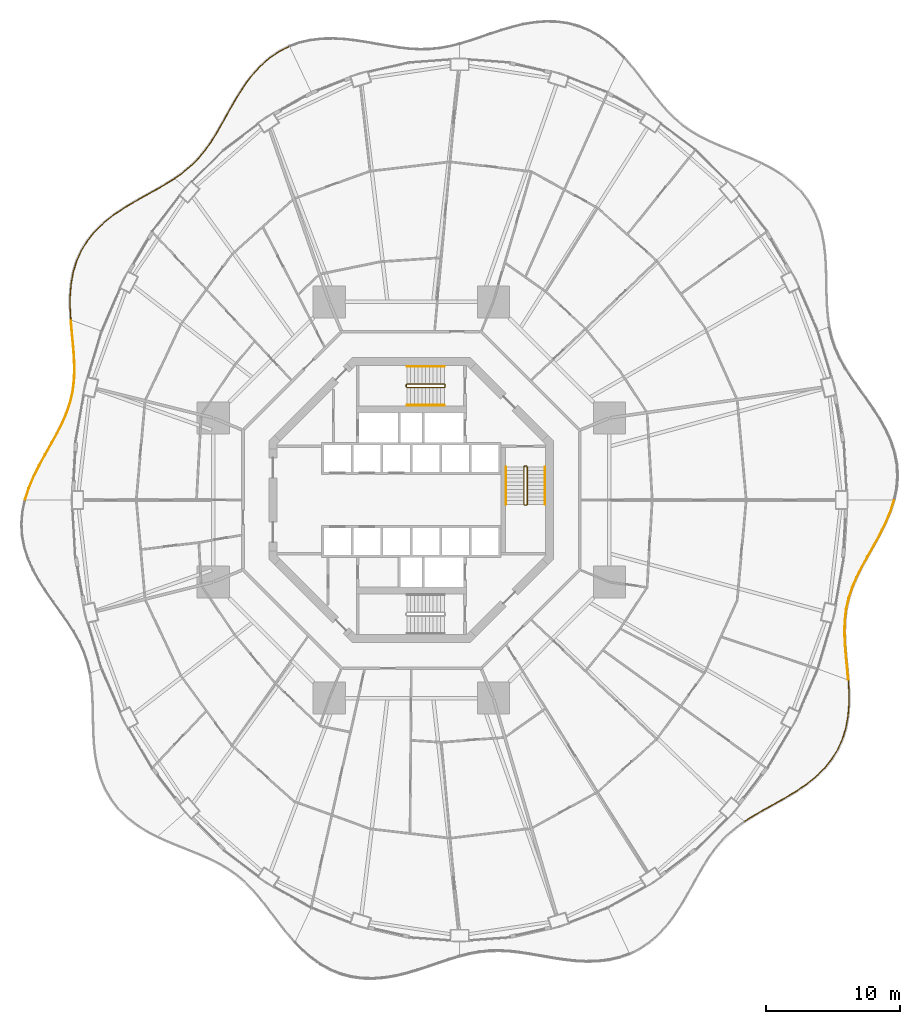
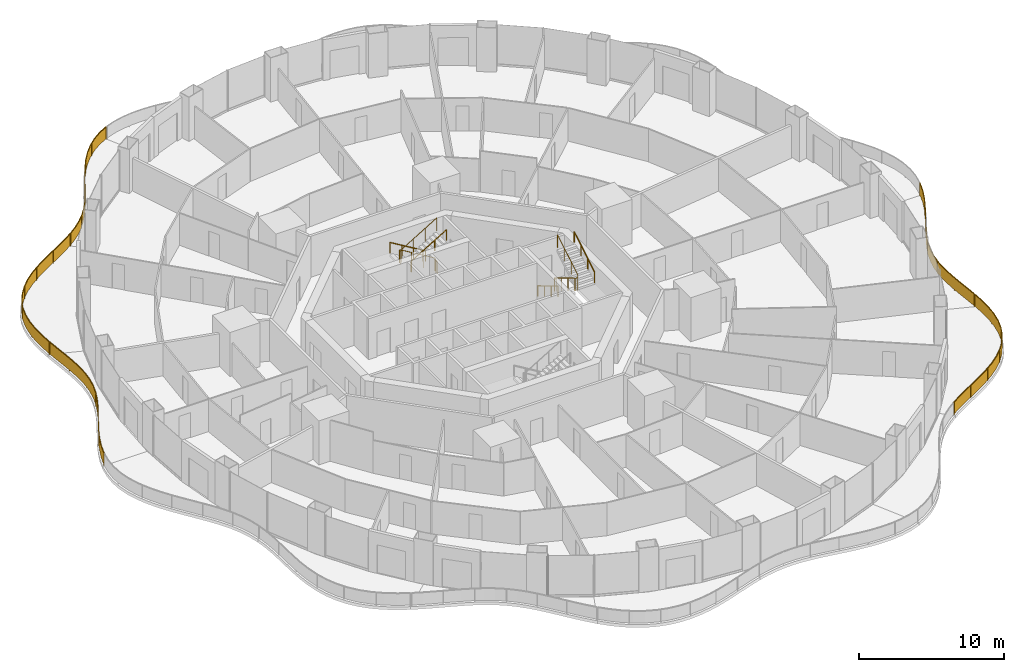
# One storey, part 21 of 22: 11 railings.
"""IFC4 building model written with IfcOpenShell, lengths in metres."""

from ifc_helpers import new_model, si_unit, direction, frame, origin, origin_2d, place, context, subcontext, project, spatial, polyline, rectangle, circle, outline, extrude, material, type_object, element, save


model = new_model("IFC4")

# Units and contexts
model_context = context("Model", 3, precision=1e-05, world=origin(), true_north=direction((0.0, 1.0)))
body_context = subcontext(model_context, "Body", "Model", "MODEL_VIEW")
ifc_project = project(units=[si_unit("LENGTHUNIT", "METRE"), si_unit("AREAUNIT", "SQUARE_METRE"), si_unit("VOLUMEUNIT", "CUBIC_METRE"), si_unit("PLANEANGLEUNIT", "RADIAN"), si_unit("MASSUNIT", "GRAM", prefix="KILO")], contexts=[model_context])

# Site, building, storey
site_placement = place(None, origin())
site = spatial("IfcSite", under=ifc_project, at=site_placement, CompositionType="ELEMENT")
building_placement = place(site_placement, origin())
building = spatial("IfcBuilding", under=site, at=building_placement, Name="Nagisa Residences", CompositionType="ELEMENT")
storey_placement = place(building_placement, frame((0.0, 0.0, 52.89990234375)))
storey = spatial("IfcBuildingStorey", under=building, at=storey_placement, Name="L12", CompositionType="ELEMENT", Elevation=52.89990234375)

# Railings
ifc_material_1 = material(Name="Stainless steel 316", Category="steel")
railing_type_1 = type_object("IfcRailingType", Name="BALCONY GUARD 1100", PredefinedType="BALUSTRADE", material=ifc_material_1)
railing_1_placement = place(storey_placement, frame((-9.1201171875, 33.8388671875, 0.0)))
element("IfcRailing", 1, at=railing_1_placement, inside=storey, type_object=railing_type_1, Name="guard:L12:bal05-0", PredefinedType="BALUSTRADE", context=body_context, shape_type="SweptSolid", body=[
    extrude(outline(polyline([(-0.703125, -0.3818359375), (0.01123046875, -0.0224609375), (-0.01123046875, 0.0224609375), (-0.728515625, -0.33837890625), (-1.43701171875, -0.81640625), (-2.08984375, -1.380615234375), (-2.685791015625, -2.018310546875), (-3.227783203125, -2.714111328125), (-3.708984375, -3.441162109375), (-4.1650390625, -4.199462890625), (-4.593994140625, -4.962158203125), (-5.00927734375, -5.712158203125), (-5.4248046875, -6.434814453125), (-5.842041015625, -7.109130859375), (-6.298095703125, -7.748046875), (-6.791015625, -8.337646484375), (-7.3291015625, -8.87841796875), (-7.915771484375, -9.3740234375), (-8.51806640625, -9.807373046875), (-8.48876953125, -9.847900390625), (-7.885009765625, -9.41357421875), (-7.294921875, -8.9150390625), (-6.75390625, -8.371337890625), (-6.258544921875, -7.77880859375), (-5.800537109375, -7.136962890625), (-5.3818359375, -6.460693359375), (-4.9658203125, -5.736572265625), (-4.550537109375, -4.986572265625), (-4.12158203125, -4.224853515625), (-3.66650390625, -3.468017578125), (-3.187255859375, -2.743408203125), (-2.647705078125, -2.051025390625), (-2.05517578125, -1.416748046875), (-1.40673828125, -0.8564453125), (-0.703125, -0.3818359375)])), frame((0.0, 0.0, 1.050048828125)), (0.0, 0.0, 1.0), 0.050048828125),
    extrude(outline(polyline([(-0.712158203125, -0.3662109375), (0.003173828125, -0.00634765625), (-0.003173828125, 0.00634765625), (-0.719482421875, -0.35400390625), (-1.426025390625, -0.830810546875), (-2.077392578125, -1.3935546875), (-2.672119140625, -2.030029296875), (-3.213134765625, -2.724609375), (-3.693603515625, -3.450927734375), (-4.1494140625, -4.208740234375), (-4.578369140625, -4.970947265625), (-4.99365234375, -5.720947265625), (-5.409423828125, -6.444091796875), (-5.8271484375, -7.119140625), (-6.283935546875, -7.759033203125), (-6.777587890625, -8.349853515625), (-7.316650390625, -8.8916015625), (-7.90478515625, -9.38818359375), (-8.507568359375, -9.822021484375), (-8.499267578125, -9.833251953125), (-7.89599609375, -9.3994140625), (-7.307373046875, -8.90185546875), (-6.767333984375, -8.359130859375), (-6.272705078125, -7.767822265625), (-5.8154296875, -7.126953125), (-5.397216796875, -6.451416015625), (-4.9814453125, -5.727783203125), (-4.566162109375, -4.977783203125), (-4.13720703125, -4.215576171875), (-3.681884765625, -3.458251953125), (-3.201904296875, -2.73291015625), (-2.661376953125, -2.039306640625), (-2.067626953125, -1.40380859375), (-1.417724609375, -0.842041015625), (-0.712158203125, -0.3662109375)])), frame((0.0, 0.0, 0.06005859375)), (0.0, 0.0, 1.0), 0.989990234375),
    extrude(rectangle(XDim=0.0400390625, YDim=0.0400390625, at=origin_2d()), origin(), (0.0, 0.0, 1.0), 1.050048828125),
    extrude(rectangle(XDim=0.0400390625, YDim=0.0400390625, at=origin_2d()), frame((-1.83740234375, -1.195556640625, 0.0)), (0.0, 0.0, 1.0), 1.050048828125),
    extrude(rectangle(XDim=0.0400390625, YDim=0.0400390625, at=origin_2d()), frame((-3.285400390625, -2.846435546875, 0.0)), (0.0, 0.0, 1.0), 1.050048828125),
    extrude(rectangle(XDim=0.0400390625, YDim=0.0400390625, at=origin_2d()), frame((-4.43212890625, -4.7255859375, 0.0)), (0.0, 0.0, 1.0), 1.050048828125),
    extrude(rectangle(XDim=0.0400390625, YDim=0.0400390625, at=origin_2d()), frame((-5.521728515625, -6.63916015625, 0.0)), (0.0, 0.0, 1.0), 1.050048828125),
    extrude(rectangle(XDim=0.0400390625, YDim=0.0400390625, at=origin_2d()), frame((-6.825927734375, -8.408203125, 0.0)), (0.0, 0.0, 1.0), 1.050048828125),
    extrude(rectangle(XDim=0.0400390625, YDim=0.0400390625, at=origin_2d()), frame((-8.50341796875, -9.82763671875, 0.0)), (0.0, 0.0, 1.0), 1.050048828125),
])
railing_2_placement = place(storey_placement, frame((-17.684326171875, 23.972900390625, 0.0)))
element("IfcRailing", 2, at=railing_2_placement, inside=storey, type_object=railing_type_1, Name="guard:L12:bal06-0", PredefinedType="BALUSTRADE", context=body_context, shape_type="SweptSolid", body=[
    extrude(outline(polyline([(-0.6689453125, -0.4501953125), (0.013427734375, -0.021240234375), (-0.013427734375, 0.021240234375), (-0.69482421875, -0.4072265625), (-1.453125, -0.843505859375), (-2.2392578125, -1.278564453125), (-3.0361328125, -1.7275390625), (-3.82421875, -2.205078125), (-4.5751953125, -2.710205078125), (-5.284912109375, -3.278076171875), (-5.926513671875, -3.902099609375), (-6.484130859375, -4.58447265625), (-6.947265625, -5.324462890625), (-7.3017578125, -6.104736328125), (-7.560791015625, -6.943115234375), (-7.722412109375, -7.817626953125), (-7.797119140625, -8.71728515625), (-7.800537109375, -9.630615234375), (-7.751708984375, -10.5009765625), (-7.701904296875, -10.498046875), (-7.750244140625, -9.629150390625), (-7.747314453125, -8.71923828125), (-7.672607421875, -7.824462890625), (-7.511962890625, -6.955322265625), (-7.2548828125, -6.122314453125), (-6.90283203125, -5.348388671875), (-6.443603515625, -4.61376953125), (-5.889404296875, -3.935791015625), (-5.251708984375, -3.315673828125), (-4.54541015625, -2.750732421875), (-3.79736328125, -2.2470703125), (-3.0107421875, -1.77099609375), (-2.21484375, -1.322021484375), (-1.4287109375, -0.886962890625), (-0.6689453125, -0.4501953125)])), frame((0.0, 0.0, 1.050048828125)), (0.0, 0.0, 1.0), 0.050048828125),
    extrude(outline(polyline([(-0.67822265625, -0.434814453125), (0.003662109375, -0.005859375), (-0.003662109375, 0.005859375), (-0.685546875, -0.422607421875), (-1.4443359375, -0.859130859375), (-2.23046875, -1.294189453125), (-3.02685546875, -1.7431640625), (-3.814453125, -2.22021484375), (-4.564453125, -2.724853515625), (-5.27294921875, -3.29150390625), (-5.9130859375, -3.914306640625), (-6.469482421875, -4.594970703125), (-6.93115234375, -5.3330078125), (-7.284912109375, -6.111083984375), (-7.543212890625, -6.947509765625), (-7.704345703125, -7.820068359375), (-7.779296875, -8.718017578125), (-7.782470703125, -9.630126953125), (-7.73388671875, -10.5), (-7.7197265625, -10.4990234375), (-7.768310546875, -9.629638671875), (-7.76513671875, -8.718505859375), (-7.690673828125, -7.822021484375), (-7.529541015625, -6.950927734375), (-7.271728515625, -6.115966796875), (-6.9189453125, -5.33984375), (-6.458251953125, -4.603271484375), (-5.90283203125, -3.923583984375), (-5.263671875, -3.30224609375), (-4.55615234375, -2.736083984375), (-3.80712890625, -2.23193359375), (-3.02001953125, -1.75537109375), (-2.2236328125, -1.306396484375), (-1.4375, -0.871337890625), (-0.67822265625, -0.434814453125)])), frame((0.0, 0.0, 0.06005859375)), (0.0, 0.0, 1.0), 0.989990234375),
    extrude(rectangle(XDim=0.0400390625, YDim=0.0400390625, at=origin_2d()), origin(), (0.0, 0.0, 1.0), 1.050048828125),
    extrude(rectangle(XDim=0.0400390625, YDim=0.0400390625, at=origin_2d()), frame((-2.035400390625, -1.194091796875, 0.0)), (0.0, 0.0, 1.0), 1.050048828125),
    extrude(rectangle(XDim=0.0400390625, YDim=0.0400390625, at=origin_2d()), frame((-4.065185546875, -2.397216796875, 0.0)), (0.0, 0.0, 1.0), 1.050048828125),
    extrude(rectangle(XDim=0.0400390625, YDim=0.0400390625, at=origin_2d()), frame((-5.882568359375, -3.894287109375, 0.0)), (0.0, 0.0, 1.0), 1.050048828125),
    extrude(rectangle(XDim=0.0400390625, YDim=0.0400390625, at=origin_2d()), frame((-7.163818359375, -5.861572265625, 0.0)), (0.0, 0.0, 1.0), 1.050048828125),
    extrude(rectangle(XDim=0.0400390625, YDim=0.0400390625, at=origin_2d()), frame((-7.724365234375, -8.142333984375, 0.0)), (0.0, 0.0, 1.0), 1.050048828125),
    extrude(rectangle(XDim=0.0400390625, YDim=0.0400390625, at=origin_2d()), frame((-7.726806640625, -10.49951171875, 0.0)), (0.0, 0.0, 1.0), 1.050048828125),
])
railing_3_placement = place(storey_placement, frame((-25.404296875, 13.39697265625, 0.0)))
element("IfcRailing", 3, at=railing_3_placement, inside=storey, type_object=railing_type_1, Name="guard:L12:bal07-0", PredefinedType="BALUSTRADE", context=body_context, shape_type="SweptSolid", body=[
    extrude(outline(polyline([(0.10498046875, -0.889404296875), (0.02490234375, 0.002197265625), (-0.02490234375, -0.002197265625), (0.05517578125, -0.894287109375), (0.144287109375, -1.81494140625), (0.215576171875, -2.713134765625), (0.246826171875, -3.585205078125), (0.2197265625, -4.4306640625), (0.12353515625, -5.23876953125), (-0.055419921875, -6.040771484375), (-0.314208984375, -6.829833984375), (-0.646728515625, -7.613525390625), (-1.04052734375, -8.399169921875), (-1.475341796875, -9.179443359375), (-1.9326171875, -9.9873046875), (-2.384033203125, -10.812744140625), (-2.8037109375, -11.656982421875), (-3.166259765625, -12.51953125), (-3.435302734375, -13.3525390625), (-3.387451171875, -13.36767578125), (-3.119384765625, -12.537109375), (-2.75830078125, -11.677978515625), (-2.339599609375, -10.835693359375), (-1.888671875, -10.01171875), (-1.431884765625, -9.203857421875), (-0.99609375, -8.422607421875), (-0.601318359375, -7.634521484375), (-0.267333984375, -6.847412109375), (-0.007080078125, -6.053955078125), (0.1728515625, -5.2470703125), (0.26953125, -4.4345703125), (0.297119140625, -3.585205078125), (0.265380859375, -2.710205078125), (0.194091796875, -1.810546875), (0.10498046875, -0.889404296875)])), frame((0.0, 0.0, 1.050048828125)), (0.0, 0.0, 1.0), 0.050048828125),
    extrude(outline(polyline([(0.087158203125, -0.89111328125), (0.007080078125, 0.000732421875), (-0.007080078125, -0.000732421875), (0.072998046875, -0.892578125), (0.162109375, -1.8134765625), (0.2333984375, -2.712158203125), (0.264892578125, -3.585205078125), (0.237548828125, -4.43212890625), (0.141357421875, -5.24169921875), (-0.0380859375, -6.04541015625), (-0.29736328125, -6.836181640625), (-0.63037109375, -7.62109375), (-1.0244140625, -8.40771484375), (-1.459716796875, -9.188232421875), (-1.916748046875, -9.99609375), (-2.367919921875, -10.821044921875), (-2.787353515625, -11.66455078125), (-3.1494140625, -12.52587890625), (-3.41796875, -13.35791015625), (-3.40478515625, -13.3623046875), (-3.13623046875, -12.53076171875), (-2.774658203125, -11.67041015625), (-2.355712890625, -10.827392578125), (-1.904541015625, -10.0029296875), (-1.447509765625, -9.195068359375), (-1.01220703125, -8.4140625), (-0.61767578125, -7.626953125), (-0.2841796875, -6.841064453125), (-0.0244140625, -6.04931640625), (0.155029296875, -5.244140625), (0.251708984375, -4.43310546875), (0.279052734375, -3.585205078125), (0.24755859375, -2.711181640625), (0.17626953125, -1.81201171875), (0.087158203125, -0.89111328125)])), frame((0.0, 0.0, 0.06005859375)), (0.0, 0.0, 1.0), 0.989990234375),
    extrude(rectangle(XDim=0.0400390625, YDim=0.0400390625, at=origin_2d()), origin(), (0.0, 0.0, 1.0), 1.050048828125),
    extrude(rectangle(XDim=0.0400390625, YDim=0.0400390625, at=origin_2d()), frame((0.2119140625, -2.350830078125, 0.0)), (0.0, 0.0, 1.0), 1.050048828125),
    extrude(rectangle(XDim=0.0400390625, YDim=0.0400390625, at=origin_2d()), frame((0.2119140625, -4.70703125, 0.0)), (0.0, 0.0, 1.0), 1.050048828125),
    extrude(rectangle(XDim=0.0400390625, YDim=0.0400390625, at=origin_2d()), frame((-0.354736328125, -6.989501953125, 0.0)), (0.0, 0.0, 1.0), 1.050048828125),
    extrude(rectangle(XDim=0.0400390625, YDim=0.0400390625, at=origin_2d()), frame((-1.403564453125, -9.101806640625, 0.0)), (0.0, 0.0, 1.0), 1.050048828125),
    extrude(rectangle(XDim=0.0400390625, YDim=0.0400390625, at=origin_2d()), frame((-2.53515625, -11.172607421875, 0.0)), (0.0, 0.0, 1.0), 1.050048828125),
    extrude(rectangle(XDim=0.0400390625, YDim=0.0400390625, at=origin_2d()), frame((-3.411376953125, -13.360107421875, 0.0)), (0.0, 0.0, 1.0), 1.050048828125),
])
railing_4_placement = place(storey_placement, frame((24.88427734375, -23.972900390625, 0.0)))
element("IfcRailing", 4, at=railing_4_placement, inside=storey, type_object=railing_type_1, Name="guard:L12:bal14-0", PredefinedType="BALUSTRADE", context=body_context, shape_type="SweptSolid", body=[
    extrude(outline(polyline([(0.669189453125, 0.4501953125), (-0.013427734375, 0.021240234375), (0.013427734375, -0.021240234375), (0.695068359375, 0.4072265625), (1.453125, 0.843505859375), (2.2392578125, 1.278564453125), (3.036376953125, 1.7275390625), (3.824462890625, 2.205078125), (4.5751953125, 2.710205078125), (5.284912109375, 3.278076171875), (5.926513671875, 3.902099609375), (6.484375, 4.58447265625), (6.947265625, 5.324462890625), (7.3017578125, 6.104736328125), (7.560791015625, 6.943115234375), (7.722412109375, 7.817626953125), (7.797119140625, 8.71728515625), (7.80078125, 9.630615234375), (7.751708984375, 10.5009765625), (7.701904296875, 10.498046875), (7.75048828125, 9.629150390625), (7.747314453125, 8.71923828125), (7.672607421875, 7.824462890625), (7.511962890625, 6.955322265625), (7.2548828125, 6.122314453125), (6.90283203125, 5.348388671875), (6.44384765625, 4.61376953125), (5.889404296875, 3.935791015625), (5.251708984375, 3.315673828125), (4.54541015625, 2.750732421875), (3.797607421875, 2.2470703125), (3.010986328125, 1.77099609375), (2.21484375, 1.322021484375), (1.4287109375, 0.886962890625), (0.669189453125, 0.4501953125)])), frame((0.0, 0.0, 1.050048828125)), (0.0, 0.0, 1.0), 0.050048828125),
    extrude(outline(polyline([(0.678466796875, 0.434814453125), (-0.003662109375, 0.005859375), (0.003662109375, -0.005859375), (0.685791015625, 0.422607421875), (1.4443359375, 0.859130859375), (2.23046875, 1.294189453125), (3.027099609375, 1.7431640625), (3.814697265625, 2.22021484375), (4.564453125, 2.724853515625), (5.27294921875, 3.29150390625), (5.9130859375, 3.914306640625), (6.4697265625, 4.594970703125), (6.93115234375, 5.3330078125), (7.284912109375, 6.111083984375), (7.543212890625, 6.947509765625), (7.704345703125, 7.820068359375), (7.779296875, 8.718017578125), (7.78271484375, 9.630126953125), (7.73388671875, 10.5), (7.7197265625, 10.4990234375), (7.7685546875, 9.629638671875), (7.76513671875, 8.718505859375), (7.690673828125, 7.822021484375), (7.529541015625, 6.950927734375), (7.271728515625, 6.115966796875), (6.9189453125, 5.33984375), (6.45849609375, 4.603271484375), (5.90283203125, 3.923583984375), (5.263671875, 3.30224609375), (4.55615234375, 2.736083984375), (3.807373046875, 2.23193359375), (3.020263671875, 1.75537109375), (2.2236328125, 1.306396484375), (1.4375, 0.871337890625), (0.678466796875, 0.434814453125)])), frame((0.0, 0.0, 0.06005859375)), (0.0, 0.0, 1.0), 0.989990234375),
    extrude(rectangle(XDim=0.0400390625, YDim=0.0400390625, at=origin_2d()), origin(), (0.0, 0.0, 1.0), 1.050048828125),
    extrude(rectangle(XDim=0.0400390625, YDim=0.0400390625, at=origin_2d()), frame((2.035400390625, 1.194091796875, 0.0)), (0.0, 0.0, 1.0), 1.050048828125),
    extrude(rectangle(XDim=0.0400390625, YDim=0.0400390625, at=origin_2d()), frame((4.065185546875, 2.397216796875, 0.0)), (0.0, 0.0, 1.0), 1.050048828125),
    extrude(rectangle(XDim=0.0400390625, YDim=0.0400390625, at=origin_2d()), frame((5.882568359375, 3.894287109375, 0.0)), (0.0, 0.0, 1.0), 1.050048828125),
    extrude(rectangle(XDim=0.0400390625, YDim=0.0400390625, at=origin_2d()), frame((7.163818359375, 5.861572265625, 0.0)), (0.0, 0.0, 1.0), 1.050048828125),
    extrude(rectangle(XDim=0.0400390625, YDim=0.0400390625, at=origin_2d()), frame((7.724365234375, 8.142333984375, 0.0)), (0.0, 0.0, 1.0), 1.050048828125),
    extrude(rectangle(XDim=0.0400390625, YDim=0.0400390625, at=origin_2d()), frame((7.726806640625, 10.49951171875, 0.0)), (0.0, 0.0, 1.0), 1.050048828125),
])
railing_5_placement = place(storey_placement, frame((32.6044921875, -13.39697265625, 0.0)))
element("IfcRailing", 5, at=railing_5_placement, inside=storey, type_object=railing_type_1, Name="guard:L12:bal15-0", PredefinedType="BALUSTRADE", context=body_context, shape_type="SweptSolid", body=[
    extrude(outline(polyline([(-0.10498046875, 0.889404296875), (-0.02490234375, -0.002197265625), (0.02490234375, 0.002197265625), (-0.05517578125, 0.894287109375), (-0.144287109375, 1.81494140625), (-0.2158203125, 2.713134765625), (-0.2470703125, 3.585205078125), (-0.219970703125, 4.4306640625), (-0.123779296875, 5.23876953125), (0.05517578125, 6.040771484375), (0.31396484375, 6.829833984375), (0.646484375, 7.613525390625), (1.040283203125, 8.399169921875), (1.47509765625, 9.179443359375), (1.932373046875, 9.9873046875), (2.3837890625, 10.812744140625), (2.803466796875, 11.656982421875), (3.166015625, 12.51953125), (3.43505859375, 13.3525390625), (3.38720703125, 13.36767578125), (3.119140625, 12.537109375), (2.758056640625, 11.677978515625), (2.33935546875, 10.835693359375), (1.888427734375, 10.01171875), (1.431640625, 9.203857421875), (0.995849609375, 8.422607421875), (0.60107421875, 7.634521484375), (0.26708984375, 6.847412109375), (0.0068359375, 6.053955078125), (-0.173095703125, 5.2470703125), (-0.269775390625, 4.4345703125), (-0.29736328125, 3.585205078125), (-0.265625, 2.710205078125), (-0.194091796875, 1.810546875), (-0.10498046875, 0.889404296875)])), frame((0.0, 0.0, 1.050048828125)), (0.0, 0.0, 1.0), 0.050048828125),
    extrude(outline(polyline([(-0.087158203125, 0.89111328125), (-0.007080078125, -0.000732421875), (0.007080078125, 0.000732421875), (-0.072998046875, 0.892578125), (-0.162109375, 1.8134765625), (-0.233642578125, 2.712158203125), (-0.26513671875, 3.585205078125), (-0.23779296875, 4.43212890625), (-0.1416015625, 5.24169921875), (0.037841796875, 6.04541015625), (0.297119140625, 6.836181640625), (0.630126953125, 7.62109375), (1.024169921875, 8.40771484375), (1.45947265625, 9.188232421875), (1.91650390625, 9.99609375), (2.36767578125, 10.821044921875), (2.787109375, 11.66455078125), (3.149169921875, 12.52587890625), (3.417724609375, 13.35791015625), (3.404541015625, 13.3623046875), (3.135986328125, 12.53076171875), (2.7744140625, 11.67041015625), (2.35546875, 10.827392578125), (1.904296875, 10.0029296875), (1.447265625, 9.195068359375), (1.011962890625, 8.4140625), (0.617431640625, 7.626953125), (0.283935546875, 6.841064453125), (0.024169921875, 6.04931640625), (-0.1552734375, 5.244140625), (-0.251953125, 4.43310546875), (-0.279296875, 3.585205078125), (-0.247802734375, 2.711181640625), (-0.17626953125, 1.81201171875), (-0.087158203125, 0.89111328125)])), frame((0.0, 0.0, 0.06005859375)), (0.0, 0.0, 1.0), 0.989990234375),
    extrude(rectangle(XDim=0.0400390625, YDim=0.0400390625, at=origin_2d()), origin(), (0.0, 0.0, 1.0), 1.050048828125),
    extrude(rectangle(XDim=0.0400390625, YDim=0.0400390625, at=origin_2d()), frame((-0.2119140625, 2.350830078125, 0.0)), (0.0, 0.0, 1.0), 1.050048828125),
    extrude(rectangle(XDim=0.0400390625, YDim=0.0400390625, at=origin_2d()), frame((-0.212158203125, 4.70703125, 0.0)), (0.0, 0.0, 1.0), 1.050048828125),
    extrude(rectangle(XDim=0.0400390625, YDim=0.0400390625, at=origin_2d()), frame((0.3544921875, 6.989501953125, 0.0)), (0.0, 0.0, 1.0), 1.050048828125),
    extrude(rectangle(XDim=0.0400390625, YDim=0.0400390625, at=origin_2d()), frame((1.4033203125, 9.101806640625, 0.0)), (0.0, 0.0, 1.0), 1.050048828125),
    extrude(rectangle(XDim=0.0400390625, YDim=0.0400390625, at=origin_2d()), frame((2.534912109375, 11.172607421875, 0.0)), (0.0, 0.0, 1.0), 1.050048828125),
    extrude(rectangle(XDim=0.0400390625, YDim=0.0400390625, at=origin_2d()), frame((3.4111328125, 13.360107421875, 0.0)), (0.0, 0.0, 1.0), 1.050048828125),
])
ifc_material_2 = material(Name="Stainless steel", Category="steel")
railing_type_2 = type_object("IfcRailingType", Name="Stair guard 1100", PredefinedType="GUARDRAIL", material=ifc_material_2)
railing_6_placement = place(storey_placement, frame((8.599609375, 2.52490234375, 0.0)))
element("IfcRailing", 6, at=railing_6_placement, inside=storey, type_object=railing_type_2, Name="L12 ST-E stair guard 1", PredefinedType="GUARDRAIL", context=body_context, shape_type="SweptSolid", body=[
    extrude(circle(Radius=0.02392578125, at=origin_2d()), frame((0.0, 0.0, 1.076171875), z_axis=(-1.0, 0.0, 0.0), x_axis=(0.0, -1.0, 0.0)), (0.0, 0.0, 1.0), 0.14990234375),
    extrude(circle(Radius=0.02392578125, at=origin_2d()), frame((-0.14990234375, 0.0, 1.076171875), z_axis=(-0.27434429532, -0.273006030465, 0.922064485248), x_axis=(0.705375805398, -0.708833529934, 0.0)), (0.0, 0.0, 1.0), 0.182373046875),
    extrude(circle(Radius=0.02392578125, at=origin_2d()), frame((-0.199951171875, -0.0498046875, 1.244140625), z_axis=(0.0, -0.857242210791, 0.514913383045), x_axis=(1.0, 0.0, 0.0)), (0.0, 0.0, 1.0), 3.266357421875),
    extrude(circle(Radius=0.02392578125, at=origin_2d()), frame((-0.199951171875, -2.849853515625, 2.92626953125), z_axis=(0.707106781187, -0.707106781187, 0.0), x_axis=(0.707106781187, 0.707106781187, 0.0)), (0.0, 0.0, 1.0), 0.07080078125),
    extrude(circle(Radius=0.02392578125, at=origin_2d()), frame((-0.14990234375, -2.89990234375, 2.92626953125), z_axis=(1.0, 0.0, 0.0), x_axis=(0.0, 1.0, 0.0)), (0.0, 0.0, 1.0), 0.14990234375),
    extrude(circle(Radius=0.02392578125, at=origin_2d()), frame((0.0, -2.89990234375, 2.92626953125), z_axis=(0.274243871929, 0.274243871929, 0.92172696468), x_axis=(-0.707106781187, 0.707106781187, 0.0)), (0.0, 0.0, 1.0), 0.1826171875),
    extrude(circle(Radius=0.02392578125, at=origin_2d()), frame((0.050048828125, -2.849853515625, 3.09423828125), z_axis=(0.0, 0.857242210791, 0.514913383045), x_axis=(-1.0, 0.0, 0.0)), (0.0, 0.0, 1.0), 3.266357421875),
    extrude(circle(Radius=0.02099609375, at=origin_2d()), origin(), (0.0, 0.0, 1.0), 1.052001953125),
    extrude(circle(Radius=0.02099609375, at=origin_2d()), frame((-0.14990234375, 0.0, 0.0)), (0.0, 0.0, 1.0), 1.052001953125),
    extrude(circle(Radius=0.02099609375, at=origin_2d()), frame((-0.199951171875, -0.0498046875, 0.168212890625)), (0.0, 0.0, 1.0), 1.052001953125),
    extrude(circle(Radius=0.02099609375, at=origin_2d()), frame((-0.199951171875, -0.983154296875, 0.728759765625)), (0.0, 0.0, 1.0), 1.052001953125),
    extrude(circle(Radius=0.02099609375, at=origin_2d()), frame((-0.199951171875, -1.91650390625, 1.28955078125)), (0.0, 0.0, 1.0), 1.052001953125),
    extrude(circle(Radius=0.02099609375, at=origin_2d()), frame((-0.199951171875, -2.849853515625, 1.85009765625)), (0.0, 0.0, 1.0), 1.052001953125),
    extrude(circle(Radius=0.02099609375, at=origin_2d()), frame((-0.14990234375, -2.89990234375, 1.85009765625)), (0.0, 0.0, 1.0), 1.052001953125),
    extrude(circle(Radius=0.02099609375, at=origin_2d()), frame((0.0, -2.89990234375, 1.85009765625)), (0.0, 0.0, 1.0), 1.052001953125),
    extrude(circle(Radius=0.02099609375, at=origin_2d()), frame((0.050048828125, -2.849853515625, 2.018310546875)), (0.0, 0.0, 1.0), 1.052001953125),
    extrude(circle(Radius=0.02099609375, at=origin_2d()), frame((0.050048828125, -1.91650390625, 2.578857421875)), (0.0, 0.0, 1.0), 1.052001953125),
    extrude(circle(Radius=0.02099609375, at=origin_2d()), frame((0.050048828125, -0.983154296875, 3.1396484375)), (0.0, 0.0, 1.0), 1.052001953125),
    extrude(circle(Radius=0.02099609375, at=origin_2d()), frame((0.050048828125, -0.0498046875, 3.7001953125)), (0.0, 0.0, 1.0), 1.052001953125),
])
railing_7_placement = place(storey_placement, frame((2.52490234375, 8.44970703125, 0.0)))
element("IfcRailing", 7, at=railing_7_placement, inside=storey, type_object=railing_type_2, Name="L12 ST-N stair guard 1", PredefinedType="GUARDRAIL", context=body_context, shape_type="SweptSolid", body=[
    extrude(circle(Radius=0.02392578125, at=origin_2d()), frame((0.0, 0.0, 1.076171875), z_axis=(0.0, 1.0, 0.0), x_axis=(-1.0, 0.0, 0.0)), (0.0, 0.0, 1.0), 0.14990234375),
    extrude(circle(Radius=0.02392578125, at=origin_2d()), frame((0.0, 0.14990234375, 1.076171875), z_axis=(-0.273006030465, 0.27434429532, 0.922064485248), x_axis=(-0.708833529934, -0.705375805398, 0.0)), (0.0, 0.0, 1.0), 0.182373046875),
    extrude(circle(Radius=0.02392578125, at=origin_2d()), frame((-0.0498046875, 0.199951171875, 1.244140625), z_axis=(-0.857242210791, 0.0, 0.514913383045), x_axis=(0.0, -1.0, 0.0)), (0.0, 0.0, 1.0), 3.266357421875),
    extrude(circle(Radius=0.02392578125, at=origin_2d()), frame((-2.849853515625, 0.199951171875, 2.92626953125), z_axis=(-0.707106781187, -0.707106781187, 0.0), x_axis=(0.707106781187, -0.707106781187, 0.0)), (0.0, 0.0, 1.0), 0.07080078125),
    extrude(circle(Radius=0.02392578125, at=origin_2d()), frame((-2.89990234375, 0.14990234375, 2.92626953125), z_axis=(0.0, -1.0, 0.0), x_axis=(1.0, 0.0, 0.0)), (0.0, 0.0, 1.0), 0.14990234375),
    extrude(circle(Radius=0.02392578125, at=origin_2d()), frame((-2.89990234375, 0.0, 2.92626953125), z_axis=(0.274243871929, -0.274243871929, 0.92172696468), x_axis=(0.707106781187, 0.707106781187, 0.0)), (0.0, 0.0, 1.0), 0.1826171875),
    extrude(circle(Radius=0.02392578125, at=origin_2d()), frame((-2.849853515625, -0.050048828125, 3.09423828125), z_axis=(0.857242210791, 0.0, 0.514913383045), x_axis=(0.0, 1.0, 0.0)), (0.0, 0.0, 1.0), 3.266357421875),
    extrude(circle(Radius=0.02099609375, at=origin_2d()), origin(), (0.0, 0.0, 1.0), 1.052001953125),
    extrude(circle(Radius=0.02099609375, at=origin_2d()), frame((0.0, 0.14990234375, 0.0)), (0.0, 0.0, 1.0), 1.052001953125),
    extrude(circle(Radius=0.02099609375, at=origin_2d()), frame((-0.0498046875, 0.199951171875, 0.168212890625)), (0.0, 0.0, 1.0), 1.052001953125),
    extrude(circle(Radius=0.02099609375, at=origin_2d()), frame((-0.983154296875, 0.199951171875, 0.728759765625)), (0.0, 0.0, 1.0), 1.052001953125),
    extrude(circle(Radius=0.02099609375, at=origin_2d()), frame((-1.91650390625, 0.199951171875, 1.28955078125)), (0.0, 0.0, 1.0), 1.052001953125),
    extrude(circle(Radius=0.02099609375, at=origin_2d()), frame((-2.849853515625, 0.199951171875, 1.85009765625)), (0.0, 0.0, 1.0), 1.052001953125),
    extrude(circle(Radius=0.02099609375, at=origin_2d()), frame((-2.89990234375, 0.14990234375, 1.85009765625)), (0.0, 0.0, 1.0), 1.052001953125),
    extrude(circle(Radius=0.02099609375, at=origin_2d()), frame((-2.89990234375, 0.0, 1.85009765625)), (0.0, 0.0, 1.0), 1.052001953125),
    extrude(circle(Radius=0.02099609375, at=origin_2d()), frame((-2.849853515625, -0.050048828125, 2.018310546875)), (0.0, 0.0, 1.0), 1.052001953125),
    extrude(circle(Radius=0.02099609375, at=origin_2d()), frame((-1.91650390625, -0.050048828125, 2.578857421875)), (0.0, 0.0, 1.0), 1.052001953125),
    extrude(circle(Radius=0.02099609375, at=origin_2d()), frame((-0.983154296875, -0.050048828125, 3.1396484375)), (0.0, 0.0, 1.0), 1.052001953125),
    extrude(circle(Radius=0.02099609375, at=origin_2d()), frame((-0.0498046875, -0.050048828125, 3.7001953125)), (0.0, 0.0, 1.0), 1.052001953125),
])
ifc_material_3 = material(Name="Stainless steel", Category="steel")
railing_type_3 = type_object("IfcRailingType", Name="Stair handrail 900", PredefinedType="HANDRAIL", material=ifc_material_3)
railing_8_placement = place(storey_placement, frame((7.07470703125, 2.47509765625, 0.168212890625)))
element("IfcRailing", 8, at=railing_8_placement, inside=storey, type_object=railing_type_3, Name="L12 ST-E stair handrail 1", PredefinedType="HANDRAIL", context=body_context, shape_type="SweptSolid", body=[
    extrude(circle(Radius=0.02392578125, at=origin_2d()), frame((0.0, 0.0, 0.8759765625), z_axis=(0.0, -0.857242210791, 0.514913383045), x_axis=(1.0, 0.0, 0.0)), (0.0, 0.0, 1.0), 3.266357421875),
    extrude(circle(Radius=0.02099609375, at=origin_2d()), origin(), (0.0, 0.0, 1.0), 0.851806640625),
    extrude(circle(Radius=0.02099609375, at=origin_2d()), frame((0.0, -0.933349609375, 0.560546875)), (0.0, 0.0, 1.0), 0.851806640625),
    extrude(circle(Radius=0.02099609375, at=origin_2d()), frame((0.0, -1.86669921875, 1.121337890625)), (0.0, 0.0, 1.0), 0.851806640625),
    extrude(circle(Radius=0.02099609375, at=origin_2d()), frame((0.0, -2.800048828125, 1.681884765625)), (0.0, 0.0, 1.0), 0.851806640625),
])
railing_9_placement = place(storey_placement, frame((9.974609375, -0.324951171875, 2.018310546875)))
element("IfcRailing", 9, at=railing_9_placement, inside=storey, type_object=railing_type_3, Name="L12 ST-E stair handrail 2", PredefinedType="HANDRAIL", context=body_context, shape_type="SweptSolid", body=[
    extrude(circle(Radius=0.02392578125, at=origin_2d()), frame((0.0, 0.0, 0.8759765625), z_axis=(0.0, 0.857242210791, 0.514913383045), x_axis=(-1.0, 0.0, 0.0)), (0.0, 0.0, 1.0), 3.266357421875),
    extrude(circle(Radius=0.02099609375, at=origin_2d()), origin(), (0.0, 0.0, 1.0), 0.851806640625),
    extrude(circle(Radius=0.02099609375, at=origin_2d()), frame((0.0, 0.933349609375, 0.560546875)), (0.0, 0.0, 1.0), 0.851806640625),
    extrude(circle(Radius=0.02099609375, at=origin_2d()), frame((0.0, 1.86669921875, 1.121337890625)), (0.0, 0.0, 1.0), 0.851806640625),
    extrude(circle(Radius=0.02099609375, at=origin_2d()), frame((0.0, 2.800048828125, 1.681884765625)), (0.0, 0.0, 1.0), 0.851806640625),
])
railing_10_placement = place(storey_placement, frame((2.47509765625, 9.974609375, 0.168212890625)))
element("IfcRailing", 10, at=railing_10_placement, inside=storey, type_object=railing_type_3, Name="L12 ST-N stair handrail 1", PredefinedType="HANDRAIL", context=body_context, shape_type="SweptSolid", body=[
    extrude(circle(Radius=0.02392578125, at=origin_2d()), frame((0.0, 0.0, 0.8759765625), z_axis=(-0.857242210791, 0.0, 0.514913383045), x_axis=(0.0, -1.0, 0.0)), (0.0, 0.0, 1.0), 3.266357421875),
    extrude(circle(Radius=0.02099609375, at=origin_2d()), origin(), (0.0, 0.0, 1.0), 0.851806640625),
    extrude(circle(Radius=0.02099609375, at=origin_2d()), frame((-0.933349609375, 0.0, 0.560546875)), (0.0, 0.0, 1.0), 0.851806640625),
    extrude(circle(Radius=0.02099609375, at=origin_2d()), frame((-1.86669921875, 0.0, 1.121337890625)), (0.0, 0.0, 1.0), 0.851806640625),
    extrude(circle(Radius=0.02099609375, at=origin_2d()), frame((-2.800048828125, 0.0, 1.681884765625)), (0.0, 0.0, 1.0), 0.851806640625),
])
railing_11_placement = place(storey_placement, frame((-0.324951171875, 7.07470703125, 2.018310546875)))
element("IfcRailing", 11, at=railing_11_placement, inside=storey, type_object=railing_type_3, Name="L12 ST-N stair handrail 2", PredefinedType="HANDRAIL", context=body_context, shape_type="SweptSolid", body=[
    extrude(circle(Radius=0.02392578125, at=origin_2d()), frame((0.0, 0.0, 0.8759765625), z_axis=(0.857242210791, 0.0, 0.514913383045), x_axis=(0.0, 1.0, 0.0)), (0.0, 0.0, 1.0), 3.266357421875),
    extrude(circle(Radius=0.02099609375, at=origin_2d()), origin(), (0.0, 0.0, 1.0), 0.851806640625),
    extrude(circle(Radius=0.02099609375, at=origin_2d()), frame((0.933349609375, 0.0, 0.560546875)), (0.0, 0.0, 1.0), 0.851806640625),
    extrude(circle(Radius=0.02099609375, at=origin_2d()), frame((1.86669921875, 0.0, 1.121337890625)), (0.0, 0.0, 1.0), 0.851806640625),
    extrude(circle(Radius=0.02099609375, at=origin_2d()), frame((2.800048828125, 0.0, 1.681884765625)), (0.0, 0.0, 1.0), 0.851806640625),
])

save(model, "model.ifc")
